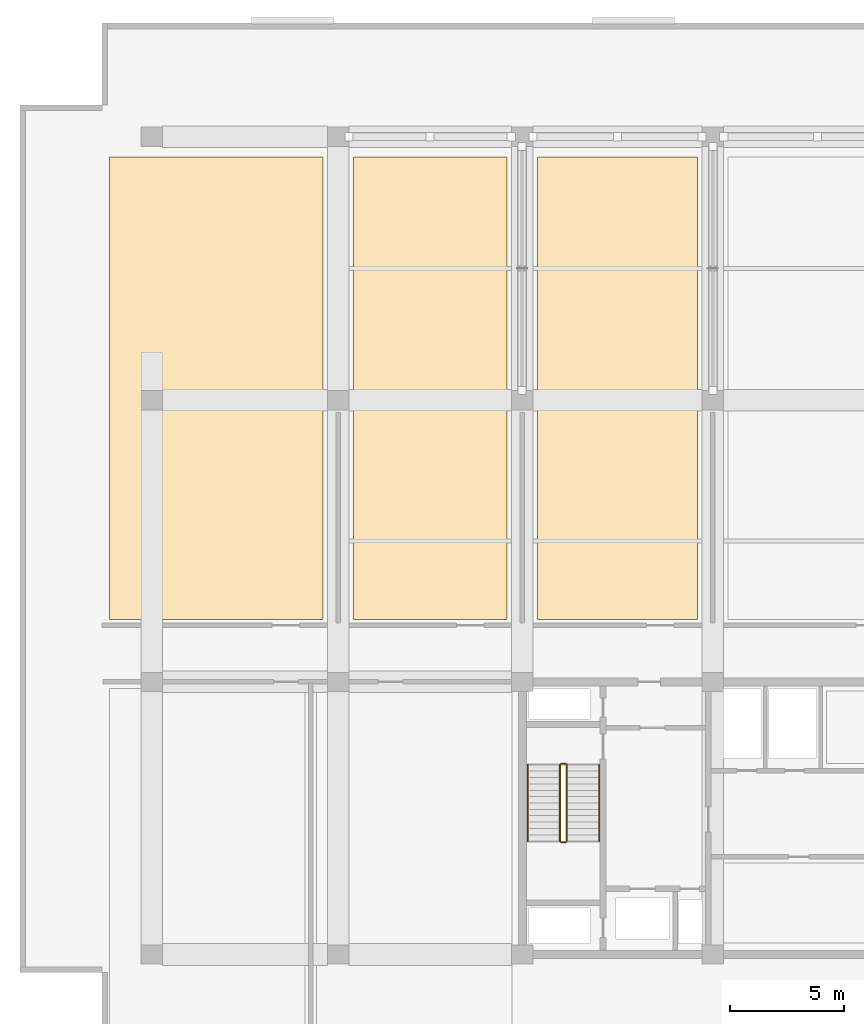
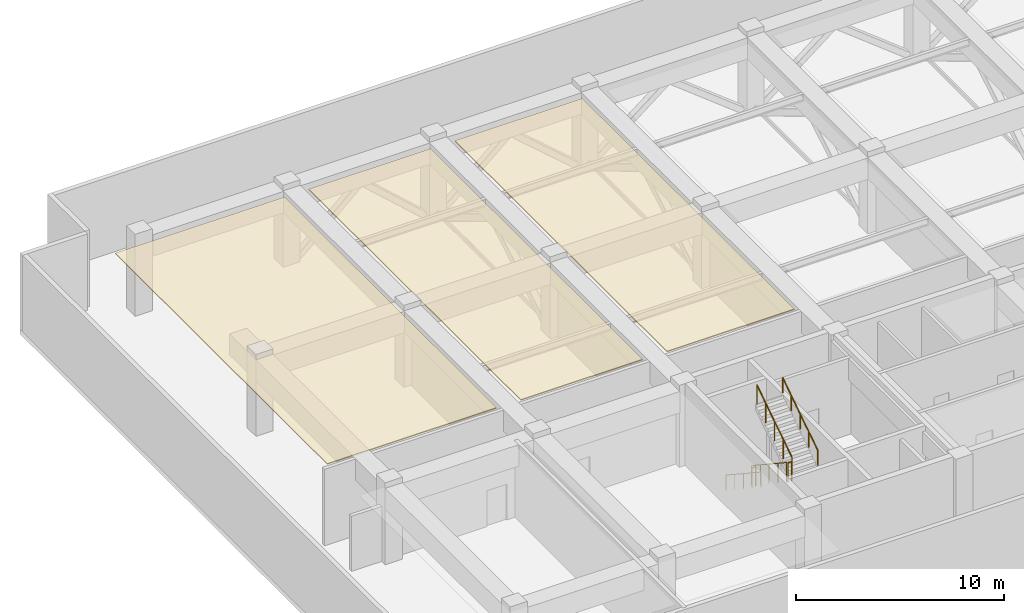
# One storey, part 19 of 22: 6 railings, 3 coverings.
"""IFC4 building model written with IfcOpenShell, lengths in metres."""

from ifc_helpers import new_model, si_unit, direction, frame, origin, origin_2d, place, context, subcontext, project, spatial, polyline, circle, outline, extrude, material, layer, layer_set, type_object, element, save


model = new_model("IFC4")

# Units and contexts
model_context = context("Model", 3, precision=1e-05, world=origin(), true_north=direction((0.0, 1.0)))
body_context = subcontext(model_context, "Body", "Model", "MODEL_VIEW")
ifc_project = project(units=[si_unit("LENGTHUNIT", "METRE"), si_unit("AREAUNIT", "SQUARE_METRE"), si_unit("VOLUMEUNIT", "CUBIC_METRE"), si_unit("PLANEANGLEUNIT", "RADIAN"), si_unit("MASSUNIT", "GRAM", prefix="KILO")], contexts=[model_context])

# Site, building, storey
site_placement = place(None, origin())
site = spatial("IfcSite", under=ifc_project, at=site_placement, CompositionType="ELEMENT")
building_placement = place(site_placement, origin())
building = spatial("IfcBuilding", under=site, at=building_placement, Name="Korimba Cascade Residences", CompositionType="ELEMENT")
storey_placement = place(building_placement, frame((0.0, 0.0, 157.300048828125)))
storey = spatial("IfcBuildingStorey", under=building, at=storey_placement, Name="L45", CompositionType="ELEMENT", Elevation=157.300048828125)

# Coverings
ifc_material_1 = material(Name="Mineral Wool Thermal Acoustic Insulation", Category="insulation")
ifc_layer = layer(ifc_material_1, 0.06005859375)
ifc_layer_set = layer_set([ifc_layer], Name="Mineral Wool Thermal Acoustic Insulation")
covering_type = type_object("IfcCoveringType", Name="COV-INS-60", PredefinedType="INSULATION", material=ifc_layer_set)
covering_1_placement = place(storey_placement, frame((0.0, 0.0, 4.419921875)))
element("IfcCovering", 1, at=covering_1_placement, inside=storey, type_object=covering_type, Name="L45 Mineral Wool Acoustic Soffit Insulation L45-PL11", PredefinedType="INSULATION", context=body_context, shape_type="SweptSolid", body=[
    extrude(outline(polyline([(57.949951171875, 69.949951171875), (67.330078125, 69.949951171875), (67.330078125, 90.300048828125), (57.949951171875, 90.300048828125), (57.949951171875, 69.949951171875)])), origin(), (0.0, 0.0, 1.0), 0.06005859375),
])
covering_2_placement = place(storey_placement, frame((0.0, 0.0, 4.419921875)))
element("IfcCovering", 2, at=covering_2_placement, inside=storey, type_object=covering_type, Name="L45 Mineral Wool Acoustic Soffit Insulation L45-PL12", PredefinedType="INSULATION", context=body_context, shape_type="SweptSolid", body=[
    extrude(outline(polyline([(68.669921875, 69.949951171875), (75.429931640625, 69.949951171875), (75.429931640625, 90.300048828125), (68.669921875, 90.300048828125), (68.669921875, 69.949951171875)])), origin(), (0.0, 0.0, 1.0), 0.06005859375),
])
covering_3_placement = place(storey_placement, frame((0.0, 0.0, 4.419921875)))
element("IfcCovering", 3, at=covering_3_placement, inside=storey, type_object=covering_type, Name="L45 Mineral Wool Acoustic Soffit Insulation L45-PL13", PredefinedType="INSULATION", context=body_context, shape_type="SweptSolid", body=[
    extrude(outline(polyline([(76.77001953125, 69.949951171875), (83.830078125, 69.949951171875), (83.830078125, 90.300048828125), (76.77001953125, 90.300048828125), (76.77001953125, 69.949951171875)])), origin(), (0.0, 0.0, 1.0), 0.06005859375),
])

# Railings
ifc_material_2 = material(Name="Painted Steel Stairwell Guardrail", Category="steel")
railing_type_1 = type_object("IfcRailingType", Name="RLG-ST-GD1150", PredefinedType="GUARDRAIL", material=ifc_material_2)
railing_1_placement = place(storey_placement, frame((77.77001953125, 63.550048828125, 0.1845703125)))
element("IfcRailing", 4, at=railing_1_placement, inside=storey, type_object=railing_type_1, Name="L45 ST-W1 stair guard 1", PredefinedType="GUARDRAIL", context=body_context, shape_type="SweptSolid", body=[
    extrude(circle(Radius=0.02392578125, at=origin_2d()), frame((0.0, 0.0, 1.1259765625), z_axis=(0.0, -0.834876476806, 0.550437342915), x_axis=(1.0, 0.0, 0.0)), (0.0, 0.0, 1.0), 4.024658203125),
    extrude(circle(Radius=0.02099609375, at=origin_2d()), origin(), (0.0, 0.0, 1.0), 1.101806640625),
    extrude(circle(Radius=0.02099609375, at=origin_2d()), frame((0.0, -0.840087890625, 0.5537109375)), (0.0, 0.0, 1.0), 1.101806640625),
    extrude(circle(Radius=0.02099609375, at=origin_2d()), frame((0.0, -1.68017578125, 1.107666015625)), (0.0, 0.0, 1.0), 1.101806640625),
    extrude(circle(Radius=0.02099609375, at=origin_2d()), frame((0.0, -2.52001953125, 1.66162109375)), (0.0, 0.0, 1.0), 1.101806640625),
    extrude(circle(Radius=0.02099609375, at=origin_2d()), frame((0.0, -3.360107421875, 2.21533203125)), (0.0, 0.0, 1.0), 1.101806640625),
])
railing_2_placement = place(storey_placement, frame((77.820068359375, 60.139892578125, 2.39990234375)))
element("IfcRailing", 5, at=railing_2_placement, inside=storey, type_object=railing_type_1, Name="L45 ST-W1 stair guard 2", PredefinedType="GUARDRAIL", context=body_context, shape_type="SweptSolid", body=[
    extrude(circle(Radius=0.02392578125, at=origin_2d()), frame((0.0, 0.0, 1.1259765625), z_axis=(1.0, 0.0, 0.0), x_axis=(0.0, 1.0, 0.0)), (0.0, 0.0, 1.0), 0.199951171875),
    extrude(circle(Radius=0.02099609375, at=origin_2d()), origin(), (0.0, 0.0, 1.0), 1.101806640625),
    extrude(circle(Radius=0.02099609375, at=origin_2d()), frame((0.199951171875, 0.0, 0.0)), (0.0, 0.0, 1.0), 1.101806640625),
])
railing_3_placement = place(storey_placement, frame((78.070068359375, 60.18994140625, 2.58447265625)))
element("IfcRailing", 6, at=railing_3_placement, inside=storey, type_object=railing_type_1, Name="L45 ST-W1 stair guard 3", PredefinedType="GUARDRAIL", context=body_context, shape_type="SweptSolid", body=[
    extrude(circle(Radius=0.02392578125, at=origin_2d()), frame((0.0, 0.0, 1.1259765625), z_axis=(0.0, 0.834848600103, 0.550479622607), x_axis=(-1.0, 0.0, 0.0)), (0.0, 0.0, 1.0), 4.02490234375),
    extrude(circle(Radius=0.02099609375, at=origin_2d()), origin(), (0.0, 0.0, 1.0), 1.101806640625),
    extrude(circle(Radius=0.02099609375, at=origin_2d()), frame((0.0, 0.840087890625, 0.553955078125)), (0.0, 0.0, 1.0), 1.101806640625),
    extrude(circle(Radius=0.02099609375, at=origin_2d()), frame((0.0, 1.68017578125, 1.10791015625)), (0.0, 0.0, 1.0), 1.101806640625),
    extrude(circle(Radius=0.02099609375, at=origin_2d()), frame((0.0, 2.52001953125, 1.66162109375)), (0.0, 0.0, 1.0), 1.101806640625),
    extrude(circle(Radius=0.02099609375, at=origin_2d()), frame((0.0, 3.360107421875, 2.215576171875)), (0.0, 0.0, 1.0), 1.101806640625),
])
railing_4_placement = place(storey_placement, frame((77.820068359375, 63.60009765625, 0.0)))
element("IfcRailing", 7, at=railing_4_placement, inside=storey, type_object=railing_type_1, Name="L45 ST-W1 stair guard 4", PredefinedType="GUARDRAIL", context=body_context, shape_type="SweptSolid", body=[
    extrude(circle(Radius=0.02392578125, at=origin_2d()), frame((0.0, 0.0, 1.1259765625), z_axis=(1.0, 0.0, 0.0), x_axis=(0.0, 1.0, 0.0)), (0.0, 0.0, 1.0), 0.199951171875),
    extrude(circle(Radius=0.02099609375, at=origin_2d()), origin(), (0.0, 0.0, 1.0), 1.101806640625),
    extrude(circle(Radius=0.02099609375, at=origin_2d()), frame((0.199951171875, 0.0, 0.0)), (0.0, 0.0, 1.0), 1.101806640625),
])
ifc_material_3 = material(Name="Brushed Stainless Steel Handrail", Category="steel")
railing_type_2 = type_object("IfcRailingType", Name="RLG-ST-HR900", PredefinedType="HANDRAIL", material=ifc_material_3)
railing_5_placement = place(storey_placement, frame((76.35009765625, 63.550048828125, 0.373046875)))
element("IfcRailing", 8, at=railing_5_placement, inside=storey, type_object=railing_type_2, Name="L45 ST-W1 stair handrail 1", PredefinedType="HANDRAIL", context=body_context, shape_type="SweptSolid", body=[
    extrude(circle(Radius=0.02392578125, at=origin_2d()), frame((0.0, 0.0, 0.8759765625), z_axis=(0.0, -0.834848600103, 0.550479622607), x_axis=(1.0, 0.0, 0.0)), (0.0, 0.0, 1.0), 4.02490234375),
    extrude(circle(Radius=0.02099609375, at=origin_2d()), origin(), (0.0, 0.0, 1.0), 0.851806640625),
    extrude(circle(Radius=0.02099609375, at=origin_2d()), frame((0.0, -0.840087890625, 0.553955078125)), (0.0, 0.0, 1.0), 0.851806640625),
    extrude(circle(Radius=0.02099609375, at=origin_2d()), frame((0.0, -1.68017578125, 1.10791015625)), (0.0, 0.0, 1.0), 0.851806640625),
    extrude(circle(Radius=0.02099609375, at=origin_2d()), frame((0.0, -2.52001953125, 1.66162109375)), (0.0, 0.0, 1.0), 0.851806640625),
    extrude(circle(Radius=0.02099609375, at=origin_2d()), frame((0.0, -3.360107421875, 2.215576171875)), (0.0, 0.0, 1.0), 0.851806640625),
])
railing_6_placement = place(storey_placement, frame((79.489990234375, 60.18994140625, 2.773193359375)))
element("IfcRailing", 9, at=railing_6_placement, inside=storey, type_object=railing_type_2, Name="L45 ST-W1 stair handrail 2", PredefinedType="HANDRAIL", context=body_context, shape_type="SweptSolid", body=[
    extrude(circle(Radius=0.02392578125, at=origin_2d()), frame((0.0, 0.0, 0.8759765625), z_axis=(0.0, 0.834876476806, 0.550437342915), x_axis=(-1.0, 0.0, 0.0)), (0.0, 0.0, 1.0), 4.024658203125),
    extrude(circle(Radius=0.02099609375, at=origin_2d()), origin(), (0.0, 0.0, 1.0), 0.851806640625),
    extrude(circle(Radius=0.02099609375, at=origin_2d()), frame((0.0, 0.840087890625, 0.5537109375)), (0.0, 0.0, 1.0), 0.851806640625),
    extrude(circle(Radius=0.02099609375, at=origin_2d()), frame((0.0, 1.68017578125, 1.107666015625)), (0.0, 0.0, 1.0), 0.851806640625),
    extrude(circle(Radius=0.02099609375, at=origin_2d()), frame((0.0, 2.52001953125, 1.66162109375)), (0.0, 0.0, 1.0), 0.851806640625),
    extrude(circle(Radius=0.02099609375, at=origin_2d()), frame((0.0, 3.360107421875, 2.21533203125)), (0.0, 0.0, 1.0), 0.851806640625),
])

save(model, "model.ifc")
